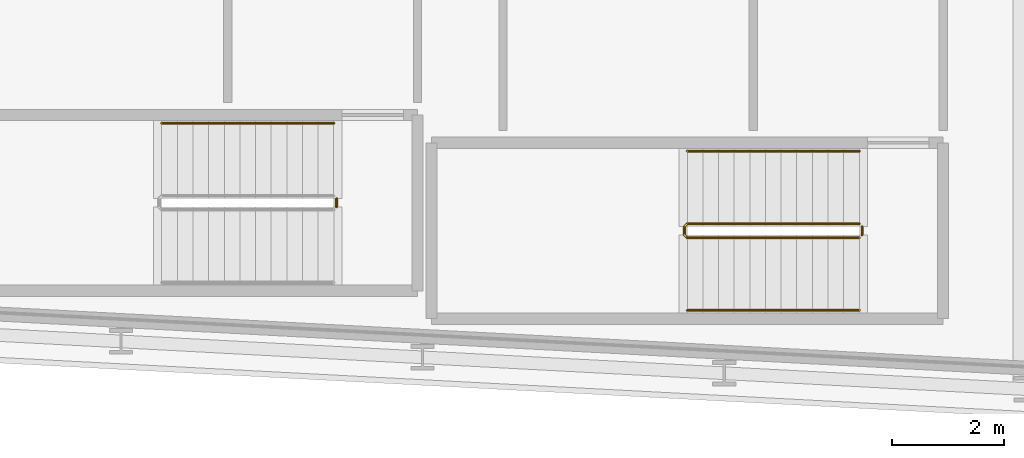
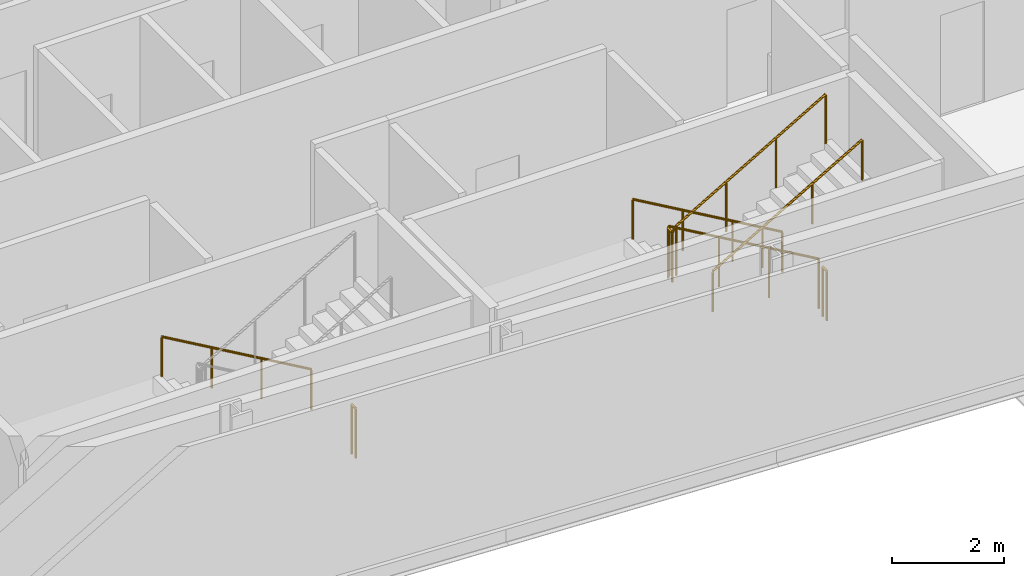
# One storey, part 25 of 28: 6 railings.
"""IFC4 building model written with IfcOpenShell, lengths in metres."""

from ifc_helpers import new_model, si_unit, direction, frame, origin, origin_2d, place, context, subcontext, project, spatial, circle, extrude, material, type_object, element, save


model = new_model("IFC4")

# Units and contexts
model_context = context("Model", 3, precision=1e-05, world=origin(), true_north=direction((0.0, 1.0)))
body_context = subcontext(model_context, "Body", "Model", "MODEL_VIEW")
ifc_project = project(units=[si_unit("LENGTHUNIT", "METRE"), si_unit("AREAUNIT", "SQUARE_METRE"), si_unit("VOLUMEUNIT", "CUBIC_METRE"), si_unit("PLANEANGLEUNIT", "RADIAN"), si_unit("MASSUNIT", "GRAM", prefix="KILO")], contexts=[model_context])

# Site, building, storey
site_placement = place(None, origin())
site = spatial("IfcSite", under=ifc_project, at=site_placement, CompositionType="ELEMENT")
building_placement = place(site_placement, origin())
building = spatial("IfcBuilding", under=site, at=building_placement, Name="Kheshtan School and Residences Tower", CompositionType="ELEMENT")
storey_placement = place(building_placement, frame((0.0, 0.0, 133.10009765625)))
storey = spatial("IfcBuildingStorey", under=building, at=storey_placement, Name="L31", CompositionType="ELEMENT", Elevation=133.10009765625)

# Railings
ifc_material_1 = material(Name="Stainless steel balustrade", Category="steel")
railing_type_1 = type_object("IfcRailingType", Name="Stair guard 1100", PredefinedType="GUARDRAIL", material=ifc_material_1)
railing_1_placement = place(storey_placement, frame((87.820068359375, 23.949951171875, 0.162353515625)))
element("IfcRailing", 1, at=railing_1_placement, inside=storey, type_object=railing_type_1, Name="L31 ST4 stair guard 1", PredefinedType="GUARDRAIL", context=body_context, shape_type="SweptSolid", body=[
    extrude(circle(Radius=0.02392578125, at=origin_2d()), frame((0.0, 0.0, 1.076171875), z_axis=(-0.864890721111, 0.0, 0.501960198159), x_axis=(0.0, -1.0, 0.0)), (0.0, 0.0, 1.0), 3.561279296875),
    extrude(circle(Radius=0.02392578125, at=origin_2d()), frame((-3.080078125, 0.0, 2.86376953125), z_axis=(-0.707106781187, -0.707106781187, 0.0), x_axis=(0.707106781187, -0.707106781187, 0.0)), (0.0, 0.0, 1.0), 0.07080078125),
    extrude(circle(Radius=0.02392578125, at=origin_2d()), frame((-3.130126953125, -0.050048828125, 2.86376953125), z_axis=(0.0, -1.0, 0.0), x_axis=(1.0, 0.0, 0.0)), (0.0, 0.0, 1.0), 0.14990234375),
    extrude(circle(Radius=0.02392578125, at=origin_2d()), frame((-3.130126953125, -0.199951171875, 2.86376953125), z_axis=(0.282583949758, -0.282583949758, 0.916674763849), x_axis=(0.707106781187, 0.707106781187, 0.0)), (0.0, 0.0, 1.0), 0.177001953125),
    extrude(circle(Radius=0.02392578125, at=origin_2d()), frame((-3.080078125, -0.25, 3.02587890625), z_axis=(0.864890721111, 0.0, 0.501960198159), x_axis=(0.0, 1.0, 0.0)), (0.0, 0.0, 1.0), 3.561279296875),
    extrude(circle(Radius=0.02099609375, at=origin_2d()), origin(), (0.0, 0.0, 1.0), 1.052001953125),
    extrude(circle(Radius=0.02099609375, at=origin_2d()), frame((-1.026611328125, 0.0, 0.595947265625)), (0.0, 0.0, 1.0), 1.052001953125),
    extrude(circle(Radius=0.02099609375, at=origin_2d()), frame((-2.053466796875, 0.0, 1.191650390625)), (0.0, 0.0, 1.0), 1.052001953125),
    extrude(circle(Radius=0.02099609375, at=origin_2d()), frame((-3.080078125, 0.0, 1.78759765625)), (0.0, 0.0, 1.0), 1.052001953125),
    extrude(circle(Radius=0.02099609375, at=origin_2d()), frame((-3.130126953125, -0.050048828125, 1.78759765625)), (0.0, 0.0, 1.0), 1.052001953125),
    extrude(circle(Radius=0.02099609375, at=origin_2d()), frame((-3.130126953125, -0.199951171875, 1.78759765625)), (0.0, 0.0, 1.0), 1.052001953125),
    extrude(circle(Radius=0.02099609375, at=origin_2d()), frame((-3.080078125, -0.25, 1.949951171875)), (0.0, 0.0, 1.0), 1.052001953125),
    extrude(circle(Radius=0.02099609375, at=origin_2d()), frame((-2.053466796875, -0.25, 2.5458984375)), (0.0, 0.0, 1.0), 1.052001953125),
    extrude(circle(Radius=0.02099609375, at=origin_2d()), frame((-1.026611328125, -0.25, 3.1416015625)), (0.0, 0.0, 1.0), 1.052001953125),
    extrude(circle(Radius=0.02099609375, at=origin_2d()), frame((0.0, -0.25, 3.737548828125)), (0.0, 0.0, 1.0), 1.052001953125),
])
for number, where, name in (
    (2, (87.8701171875, 23.89990234375, 0.0), "L31 ST4 stair guard 2"),
    (3, (78.4599609375, 24.39990234375, 0.0), "L31 ST5 stair guard 2"),
):
    element("IfcRailing", number, at=place(storey_placement, frame(where)), inside=storey, type_object=railing_type_1, Name=name, PredefinedType="GUARDRAIL", context=body_context, shape_type="SweptSolid", body=[
        extrude(circle(Radius=0.02392578125, at=origin_2d()), frame((0.0, 0.0, 1.076171875), z_axis=(0.0, -1.0, 0.0), x_axis=(1.0, 0.0, 0.0)), (0.0, 0.0, 1.0), 0.14990234375),
        extrude(circle(Radius=0.02099609375, at=origin_2d()), origin(), (0.0, 0.0, 1.0), 1.052001953125),
        extrude(circle(Radius=0.02099609375, at=origin_2d()), frame((0.0, -0.14990234375, 0.0)), (0.0, 0.0, 1.0), 1.052001953125),
    ])
ifc_material_2 = material(Name="Stainless steel handrail", Category="steel")
railing_type_2 = type_object("IfcRailingType", Name="Stair handrail 900", PredefinedType="HANDRAIL", material=ifc_material_2)
railing_2_placement = place(storey_placement, frame((87.820068359375, 25.25, 0.162353515625)))
element("IfcRailing", 4, at=railing_2_placement, inside=storey, type_object=railing_type_2, Name="L31 ST4 stair handrail 1", PredefinedType="HANDRAIL", context=body_context, shape_type="SweptSolid", body=[
    extrude(circle(Radius=0.02392578125, at=origin_2d()), frame((0.0, 0.0, 0.8759765625), z_axis=(-0.864890721111, 0.0, 0.501960198159), x_axis=(0.0, -1.0, 0.0)), (0.0, 0.0, 1.0), 3.561279296875),
    extrude(circle(Radius=0.02099609375, at=origin_2d()), origin(), (0.0, 0.0, 1.0), 0.851806640625),
    extrude(circle(Radius=0.02099609375, at=origin_2d()), frame((-1.026611328125, 0.0, 0.595947265625)), (0.0, 0.0, 1.0), 0.851806640625),
    extrude(circle(Radius=0.02099609375, at=origin_2d()), frame((-2.053466796875, 0.0, 1.191650390625)), (0.0, 0.0, 1.0), 0.851806640625),
    extrude(circle(Radius=0.02099609375, at=origin_2d()), frame((-3.080078125, 0.0, 1.78759765625)), (0.0, 0.0, 1.0), 0.851806640625),
])
railing_3_placement = place(storey_placement, frame((84.739990234375, 22.39990234375, 2.1123046875)))
element("IfcRailing", 5, at=railing_3_placement, inside=storey, type_object=railing_type_2, Name="L31 ST4 stair handrail 2", PredefinedType="HANDRAIL", context=body_context, shape_type="SweptSolid", body=[
    extrude(circle(Radius=0.02392578125, at=origin_2d()), frame((0.0, 0.0, 0.8759765625), z_axis=(0.864890721111, 0.0, 0.501960198159), x_axis=(0.0, 1.0, 0.0)), (0.0, 0.0, 1.0), 3.561279296875),
    extrude(circle(Radius=0.02099609375, at=origin_2d()), origin(), (0.0, 0.0, 1.0), 0.851806640625),
    extrude(circle(Radius=0.02099609375, at=origin_2d()), frame((1.026611328125, 0.0, 0.595947265625)), (0.0, 0.0, 1.0), 0.851806640625),
    extrude(circle(Radius=0.02099609375, at=origin_2d()), frame((2.053466796875, 0.0, 1.191650390625)), (0.0, 0.0, 1.0), 0.851806640625),
    extrude(circle(Radius=0.02099609375, at=origin_2d()), frame((3.080078125, 0.0, 1.78759765625)), (0.0, 0.0, 1.0), 0.851806640625),
])
railing_4_placement = place(storey_placement, frame((78.409912109375, 25.75, 0.162353515625)))
element("IfcRailing", 6, at=railing_4_placement, inside=storey, type_object=railing_type_2, Name="L31 ST5 stair handrail 1", PredefinedType="HANDRAIL", context=body_context, shape_type="SweptSolid", body=[
    extrude(circle(Radius=0.02392578125, at=origin_2d()), frame((0.0, 0.0, 0.8759765625), z_axis=(-0.864873446163, 0.0, 0.501989962173), x_axis=(0.0, -1.0, 0.0)), (0.0, 0.0, 1.0), 3.56103515625),
    extrude(circle(Radius=0.02099609375, at=origin_2d()), origin(), (0.0, 0.0, 1.0), 0.851806640625),
    extrude(circle(Radius=0.02099609375, at=origin_2d()), frame((-1.026611328125, 0.0, 0.595947265625)), (0.0, 0.0, 1.0), 0.851806640625),
    extrude(circle(Radius=0.02099609375, at=origin_2d()), frame((-2.05322265625, 0.0, 1.191650390625)), (0.0, 0.0, 1.0), 0.851806640625),
    extrude(circle(Radius=0.02099609375, at=origin_2d()), frame((-3.079833984375, 0.0, 1.78759765625)), (0.0, 0.0, 1.0), 0.851806640625),
])

save(model, "model.ifc")
